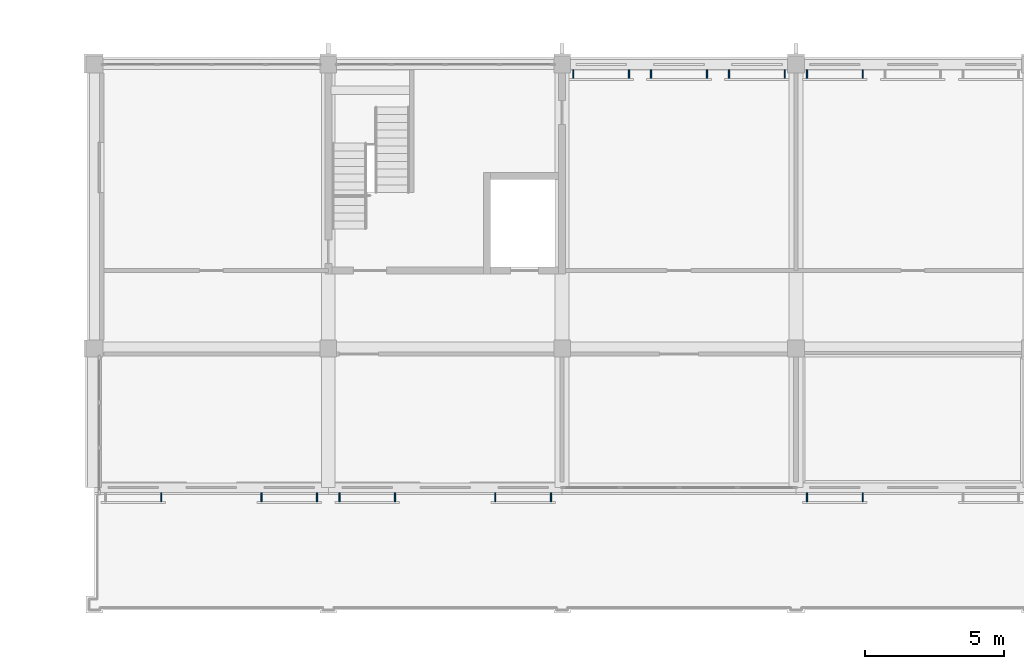
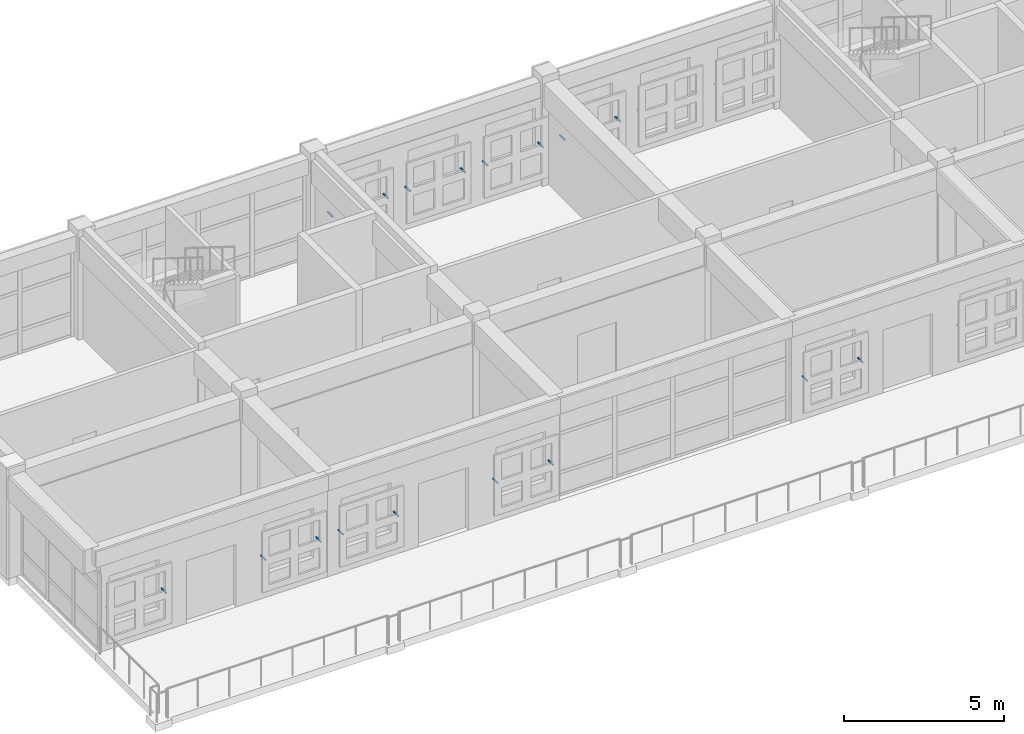
# One storey, part 59 of 71: 17 discrete accessories.
"""IFC4 building model written with IfcOpenShell, lengths in metres."""

from ifc_helpers import new_model, si_unit, direction, frame, origin, origin_2d, place, context, subcontext, project, spatial, rectangle, extrude, material, type_object, element, save


model = new_model("IFC4")

# Units and contexts
model_context = context("Model", 3, precision=1e-05, world=origin(), true_north=direction((0.0, 1.0)))
body_context = subcontext(model_context, "Body", "Model", "MODEL_VIEW")
ifc_project = project(units=[si_unit("LENGTHUNIT", "METRE"), si_unit("AREAUNIT", "SQUARE_METRE"), si_unit("VOLUMEUNIT", "CUBIC_METRE"), si_unit("PLANEANGLEUNIT", "RADIAN"), si_unit("MASSUNIT", "GRAM", prefix="KILO")], contexts=[model_context])

# Site, building, storey
site_placement = place(None, origin())
site = spatial("IfcSite", under=ifc_project, at=site_placement, CompositionType="ELEMENT")
building_placement = place(site_placement, origin())
building = spatial("IfcBuilding", under=site, at=building_placement, Name="Wasatch Bagh Community Centre", CompositionType="ELEMENT")
storey_placement = place(building_placement, frame((0.0, 0.0, 12.60009765625)))
storey = spatial("IfcBuildingStorey", under=building, at=storey_placement, Name="L03", CompositionType="ELEMENT", Elevation=12.60009765625)

# Discrete accessories
ifc_material = material(Name="Galvanised steel", Category="steel")
discrete_accessory_type = type_object("IfcDiscreteAccessoryType", Name="LW jali bracket", PredefinedType="BRACKET", material=ifc_material)
for number, where, z_axis, x_axis, name in (
    (1, (74.800048828125, 82.260009765625, 1.634765625), (0.0, 0.0, 1.0), (1.0, 0.0, 0.0), "Jali bracket"),
    (2, (78.39990234375, 82.260009765625, 1.634765625), (0.0, 0.0, 1.0), (1.0, 0.0, 0.0), "Jali bracket"),
    (3, (80.39990234375, 82.260009765625, 1.634765625), (0.0, 0.0, 1.0), (1.0, 0.0, 0.0), "Jali bracket"),
    (4, (81.199951171875, 82.260009765625, 1.634765625), (0.0, 0.0, 1.0), (1.0, 0.0, 0.0), "Jali bracket"),
    (5, (83.199951171875, 82.260009765625, 1.634765625), (0.0, 0.0, 1.0), (1.0, 0.0, 0.0), "Jali bracket"),
    (6, (86.800048828125, 82.260009765625, 1.634765625), (0.0, 0.0, 1.0), (1.0, 0.0, 0.0), "Jali bracket"),
    (7, (88.800048828125, 82.260009765625, 1.634765625), (0.0, 0.0, 1.0), (1.0, 0.0, 0.0), "Jali bracket"),
    (8, (98.0, 82.260009765625, 1.634765625), (0.0, 0.0, 1.0), (1.0, 0.0, 0.0), "Jali bracket"),
    (9, (100.0, 82.260009765625, 1.634765625), (0.0, 0.0, 1.0), (1.0, 0.0, 0.0), "Jali bracket"),
    (10, (89.60009765625, 97.4599609375, 1.634765625), (0.0, 0.0, 1.0), (1.0, 0.0, 0.0), "Jali bracket"),
    (11, (91.60009765625, 97.4599609375, 1.634765625), (0.0, 0.0, 1.0), (1.0, 0.0, 0.0), "Jali bracket"),
    (12, (92.39990234375, 97.4599609375, 1.634765625), (0.0, 0.0, 1.0), (1.0, 0.0, 0.0), "Jali bracket"),
    (13, (94.39990234375, 97.4599609375, 1.634765625), (0.0, 0.0, 1.0), (1.0, 0.0, 0.0), "Jali bracket"),
    (14, (95.199951171875, 97.4599609375, 1.634765625), (0.0, 0.0, 1.0), (1.0, 0.0, 0.0), "Jali bracket"),
    (15, (97.199951171875, 97.4599609375, 1.634765625), (0.0, 0.0, 1.0), (1.0, 0.0, 0.0), "Jali bracket"),
    (16, (98.0, 97.4599609375, 1.634765625), (0.0, 0.0, 1.0), (1.0, 0.0, 0.0), "Jali bracket"),
    (17, (100.0, 97.4599609375, 1.634765625), (0.0, 0.0, 1.0), (1.0, 0.0, 0.0), "Jali bracket"),
):
    element("IfcDiscreteAccessory", number, at=place(storey_placement, frame(where, z_axis=z_axis, x_axis=x_axis)), inside=storey, type_object=discrete_accessory_type, Name=name, PredefinedType="BRACKET", context=body_context, shape_type="SweptSolid", body=[
        extrude(rectangle(XDim=0.050048828125, YDim=0.320068359375, at=origin_2d()), origin(), (0.0, 0.0, 1.0), 0.050048828125),
    ])

save(model, "model.ifc")
